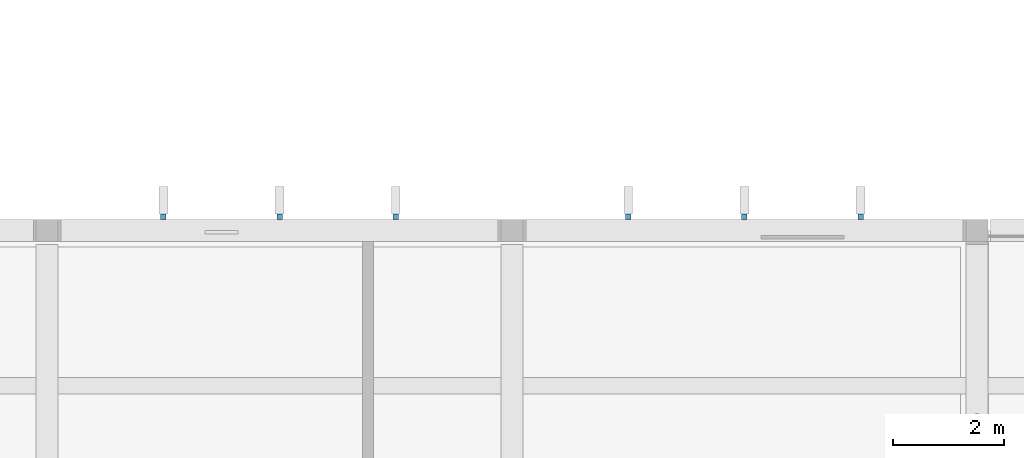
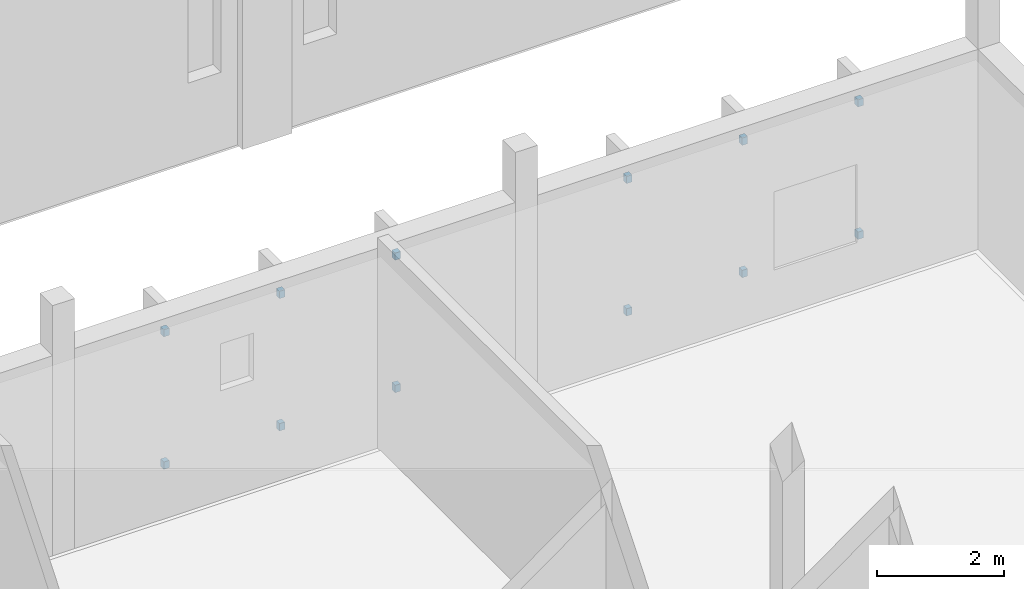
# One storey, part 72 of 103: 12 discrete accessories.
"""IFC4 building model written with IfcOpenShell, lengths in metres."""

from ifc_helpers import new_model, si_unit, direction, frame, origin, origin_2d, place, context, subcontext, project, spatial, rectangle, extrude, material, layer, layer_set, type_object, element, save


model = new_model("IFC4")

# Units and contexts
model_context = context("Model", 3, precision=1e-05, world=origin(), true_north=direction((0.0, 1.0)))
body_context = subcontext(model_context, "Body", "Model", "MODEL_VIEW")
ifc_project = project(units=[si_unit("LENGTHUNIT", "METRE"), si_unit("AREAUNIT", "SQUARE_METRE"), si_unit("VOLUMEUNIT", "CUBIC_METRE"), si_unit("PLANEANGLEUNIT", "RADIAN"), si_unit("MASSUNIT", "GRAM", prefix="KILO")], contexts=[model_context])

# Site, building, storey
site_placement = place(None, origin())
site = spatial("IfcSite", under=ifc_project, at=site_placement, CompositionType="ELEMENT")
building_placement = place(site_placement, origin())
building = spatial("IfcBuilding", under=site, at=building_placement, Name="Larchfold Concert Hall", CompositionType="ELEMENT")
storey_placement = place(building_placement, frame((0.0, 0.0, 9.60009765625)))
storey = spatial("IfcBuildingStorey", under=building, at=storey_placement, Name="L02", CompositionType="ELEMENT", Elevation=9.60009765625)

# Discrete accessories
ifc_material = material(Name="Steel S355 galvanised bracket", Category="steel")
ifc_layer = layer(ifc_material, 0.10009765625)
ifc_layer_set = layer_set([ifc_layer], Name="Steel S355 galvanised bracket")
discrete_accessory_type = type_object("IfcDiscreteAccessoryType", Name="Fin support bracket", PredefinedType="BRACKET", material=ifc_layer_set)
for number, where, z_axis, x_axis, name in (
    (1, (44.699951171875, 26.050048828125, 0.6298828125), (0.0, 0.0, 1.0), (0.0, 1.0, 0.0), "Fin bracket FN-L02-001-1"),
    (2, (44.699951171875, 26.050048828125, 3.169921875), (0.0, 0.0, 1.0), (0.0, 1.0, 0.0), "Fin bracket FN-L02-001-2"),
    (3, (46.800048828125, 26.050048828125, 0.6298828125), (0.0, 0.0, 1.0), (0.0, 1.0, 0.0), "Fin bracket FN-L02-002-1"),
    (4, (46.800048828125, 26.050048828125, 3.169921875), (0.0, 0.0, 1.0), (0.0, 1.0, 0.0), "Fin bracket FN-L02-002-2"),
    (5, (48.89990234375, 26.050048828125, 0.6298828125), (0.0, 0.0, 1.0), (0.0, 1.0, 0.0), "Fin bracket FN-L02-003-1"),
    (6, (48.89990234375, 26.050048828125, 3.169921875), (0.0, 0.0, 1.0), (0.0, 1.0, 0.0), "Fin bracket FN-L02-003-2"),
    (7, (36.300048828125, 26.050048828125, 0.6298828125), (0.0, 0.0, 1.0), (0.0, 1.0, 0.0), "Fin bracket FN-L02-004-1"),
    (8, (36.300048828125, 26.050048828125, 3.169921875), (0.0, 0.0, 1.0), (0.0, 1.0, 0.0), "Fin bracket FN-L02-004-2"),
    (9, (38.39990234375, 26.050048828125, 0.6298828125), (0.0, 0.0, 1.0), (0.0, 1.0, 0.0), "Fin bracket FN-L02-005-1"),
    (10, (38.39990234375, 26.050048828125, 3.169921875), (0.0, 0.0, 1.0), (0.0, 1.0, 0.0), "Fin bracket FN-L02-005-2"),
    (11, (40.5, 26.050048828125, 0.6298828125), (0.0, 0.0, 1.0), (0.0, 1.0, 0.0), "Fin bracket FN-L02-006-1"),
    (12, (40.5, 26.050048828125, 3.169921875), (0.0, 0.0, 1.0), (0.0, 1.0, 0.0), "Fin bracket FN-L02-006-2"),
):
    element("IfcDiscreteAccessory", number, at=place(storey_placement, frame(where, z_axis=z_axis, x_axis=x_axis)), inside=storey, type_object=discrete_accessory_type, Name=name, PredefinedType="BRACKET", context=body_context, shape_type="SweptSolid", body=[
        extrude(rectangle(XDim=0.10009765625, YDim=0.10009765625, at=origin_2d()), origin(), (0.0, 0.0, 1.0), 0.139892578125),
    ])

save(model, "model.ifc")
